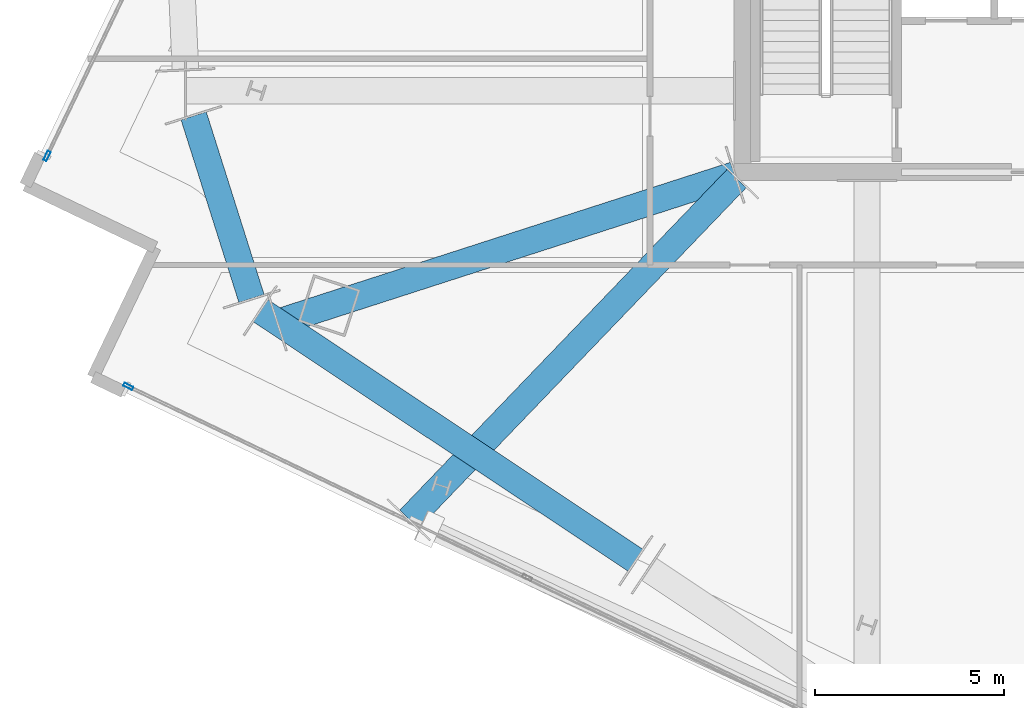
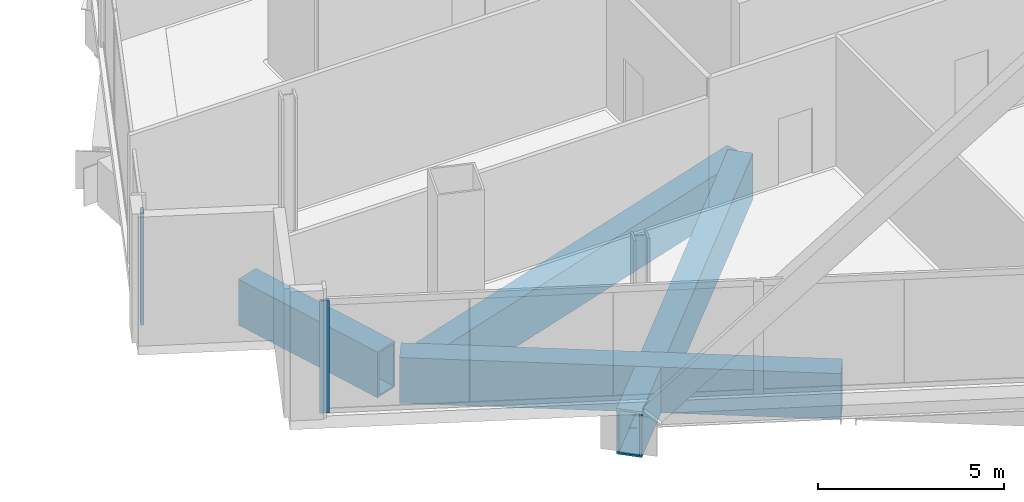
# One storey, part 4 of 24: 4 beams, 2 members, 2 elements without a shape of their own.
"""IFC4 building model written with IfcOpenShell, lengths in metres."""

from ifc_helpers import new_model, si_unit, direction, frame, origin, origin_2d, place, context, subcontext, project, spatial, hollow_rectangle, extrude, material, material_profile, profile_set, type_object, element, aggregate, save


model = new_model("IFC4")

# Units and contexts
model_context = context("Model", 3, precision=1e-05, world=origin(), true_north=direction((0.0, 1.0)))
body_context = subcontext(model_context, "Body", "Model", "MODEL_VIEW")
ifc_project = project(units=[si_unit("LENGTHUNIT", "METRE"), si_unit("AREAUNIT", "SQUARE_METRE"), si_unit("VOLUMEUNIT", "CUBIC_METRE"), si_unit("PLANEANGLEUNIT", "RADIAN"), si_unit("MASSUNIT", "GRAM", prefix="KILO")], contexts=[model_context])

# Site, building, storey
site_placement = place(None, origin())
site = spatial("IfcSite", under=ifc_project, at=site_placement, CompositionType="ELEMENT")
building_placement = place(site_placement, origin())
building = spatial("IfcBuilding", under=site, at=building_placement, Name="Haldenkirk Collegiate Tower", CompositionType="ELEMENT")
storey_placement = place(building_placement, frame((0.0, 0.0, 244.199951171875)))
storey = spatial("IfcBuildingStorey", under=building, at=storey_placement, Name="L61", CompositionType="ELEMENT", Elevation=244.199951171875)

# Beams
ifc_material_1 = material(Name="Steel ASTM A572 Grade 50", Category="steel")
ifc_material_profile_1 = material_profile(ifc_material_1, hollow_rectangle(XDim=0.699951171875, YDim=1.5, WallThickness=0.06005859375, at=origin_2d()), Name="BOX1500X700X60")
ifc_profile_set_1 = profile_set([ifc_material_profile_1], Name="Steel ASTM A572 Grade 50")
beam_type = type_object("IfcBeamType", Name="BM-TRANSFER-BOX1500X700X60", PredefinedType="BEAM", material=ifc_profile_set_1)
beam_1_placement = place(storey_placement, frame((12.494873046875, 19.489013671875, -1.14990234375), z_axis=(0.301937009704, -0.95332787758, 0.0), x_axis=(0.95332787758, 0.301937009704, 0.0)))
element("IfcBeam", 1, at=beam_1_placement, inside=storey, type_object=beam_type, Name="L61 sky-lobby perimeter transfer girder 13", PredefinedType="BEAM", context=body_context, shape_type="SweptSolid", body=[
    extrude(hollow_rectangle(XDim=0.699951171875, YDim=1.5, WallThickness=0.06005859375, at=origin_2d()), origin(), (0.0, 0.0, 1.0), 5.060791015625),
])
beam_2_placement = place(storey_placement, frame((14.26904296875, 14.337158203125, -1.14990234375), z_axis=(0.832438805455, -0.554116986901, 0.0), x_axis=(0.554116986901, 0.832438805455, 0.0)))
element("IfcBeam", 2, at=beam_2_placement, inside=storey, type_object=beam_type, Name="L61 sky-lobby perimeter transfer girder 14", PredefinedType="BEAM", context=body_context, shape_type="SweptSolid", body=[
    extrude(hollow_rectangle(XDim=0.699951171875, YDim=1.5, WallThickness=0.06005859375, at=origin_2d()), origin(), (0.0, 0.0, 1.0), 11.885009765625),
])
beam_3_placement = place(storey_placement, frame((14.720703125, 14.03662109375, -1.14990234375), z_axis=(0.951653223288, 0.307174449793, 0.0), x_axis=(-0.307174449793, 0.951653223288, 0.0)))
element("IfcBeam", 3, at=beam_3_placement, inside=storey, type_object=beam_type, Name="L61 sky-lobby radial transfer girder 04", PredefinedType="BEAM", context=body_context, shape_type="SweptSolid", body=[
    extrude(hollow_rectangle(XDim=0.699951171875, YDim=1.5, WallThickness=0.06005859375, at=origin_2d()), origin(), (0.0, 0.0, 1.0), 12.673095703125),
])
beam_4_placement = place(storey_placement, frame((18.19091796875, 8.82958984375, -1.14990234375), z_axis=(0.692768675587, 0.721159872792, 0.0), x_axis=(-0.721159872792, 0.692768675587, 0.0)))
element("IfcBeam", 4, at=beam_4_placement, inside=storey, type_object=beam_type, Name="L61 sky-lobby radial transfer girder 14", PredefinedType="BEAM", context=body_context, shape_type="SweptSolid", body=[
    extrude(hollow_rectangle(XDim=0.699951171875, YDim=1.5, WallThickness=0.06005859375, at=origin_2d()), origin(), (0.0, 0.0, 1.0), 12.486083984375),
])

# Curtain wall, member
ifc_material_2 = material(Name="Anodised architectural bronze aluminium", Category="aluminium")
curtain_wall_type = type_object("IfcCurtainWallType", Name="CW-SYS4-SKYGARDEN", PredefinedType="USERDEFINED", material=ifc_material_2)
curtain_wall_1_placement = place(storey_placement, origin())
curtain_wall_1 = element("IfcCurtainWall", 5, at=curtain_wall_1_placement, inside=storey, type_object=curtain_wall_type, Name="L61 Sky-garden tall bronze curtain wall", ObjectType="UNITISED CURTAIN WALL", PredefinedType="USERDEFINED")
ifc_material_profile_2 = material_profile(ifc_material_2, hollow_rectangle(XDim=0.090087890625, YDim=0.260009765625, WallThickness=0.0048828125, at=origin_2d()), Name="CW-MUL-04")
ifc_profile_set_2 = profile_set([ifc_material_profile_2], Name="Anodised architectural bronze aluminium")
member_type = type_object("IfcMemberType", Name="CW-MUL-04", PredefinedType="MULLION", material=ifc_profile_set_2)
member_1_placement = place(storey_placement, frame((8.6220703125, 18.431396484375, 0.0), z_axis=(0.0, 0.0, 1.0), x_axis=(-0.90183341563, 0.432083892841, 0.0)))
member_1 = element("IfcMember", 6, at=member_1_placement, type_object=member_type, Name="CW-04 mullion 1", PredefinedType="MULLION", context=body_context, shape_type="SweptSolid", body=[
    extrude(hollow_rectangle(XDim=0.090087890625, YDim=0.260009765625, WallThickness=0.0048828125, at=origin_2d()), origin(), (0.0, 0.0, 1.0), 3.68798828125),
])
aggregate(curtain_wall_1, [member_1])

curtain_wall_2_placement = place(storey_placement, origin())
curtain_wall_2 = element("IfcCurtainWall", 7, at=curtain_wall_2_placement, inside=storey, type_object=curtain_wall_type, Name="L61 Sky-garden tall bronze curtain wall", ObjectType="UNITISED CURTAIN WALL", PredefinedType="USERDEFINED")
member_2_placement = place(storey_placement, frame((10.7666015625, 12.342041015625, 0.0), z_axis=(0.0, 0.0, 1.0), x_axis=(-0.432081961673, -0.901834340884, 0.0)))
member_2 = element("IfcMember", 8, at=member_2_placement, type_object=member_type, Name="CW-04 mullion 4", PredefinedType="MULLION", context=body_context, shape_type="SweptSolid", body=[
    extrude(hollow_rectangle(XDim=0.090087890625, YDim=0.260009765625, WallThickness=0.0048828125, at=origin_2d()), origin(), (0.0, 0.0, 1.0), 3.68798828125),
])
aggregate(curtain_wall_2, [member_2])

save(model, "model.ifc")
